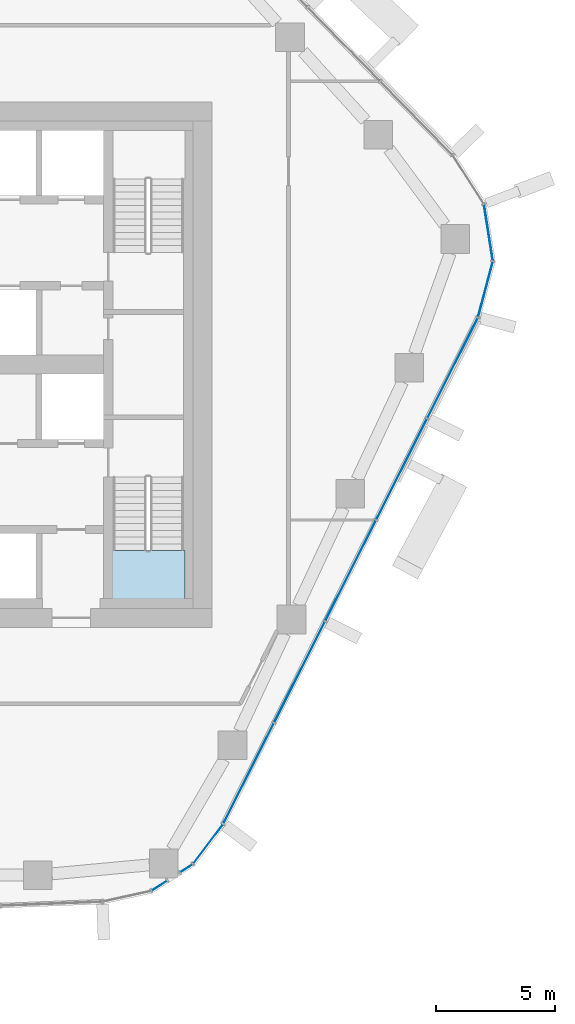
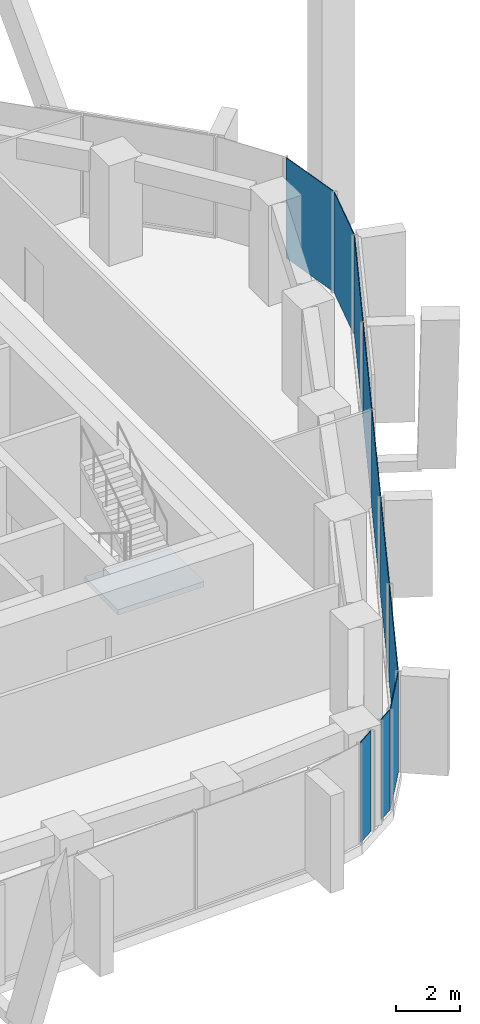
# One storey, part 10 of 19: 10 plates, 1 slab, 5 elements without a shape of their own.
"""IFC4 building model written with IfcOpenShell, lengths in metres."""

from ifc_helpers import new_model, si_unit, direction, frame, origin, origin_2d, place, context, subcontext, project, spatial, polyline, rectangle, outline, extrude, material, layer, layer_set, type_object, element, aggregate, save


model = new_model("IFC4")

# Units and contexts
model_context = context("Model", 3, precision=1e-05, world=origin(), true_north=direction((0.0, 1.0)))
body_context = subcontext(model_context, "Body", "Model", "MODEL_VIEW")
ifc_project = project(units=[si_unit("LENGTHUNIT", "METRE"), si_unit("AREAUNIT", "SQUARE_METRE"), si_unit("VOLUMEUNIT", "CUBIC_METRE"), si_unit("PLANEANGLEUNIT", "RADIAN"), si_unit("MASSUNIT", "GRAM", prefix="KILO")], contexts=[model_context])

# Site, building, storey
site_placement = place(None, origin())
site = spatial("IfcSite", under=ifc_project, at=site_placement, CompositionType="ELEMENT")
building_placement = place(site_placement, origin())
building = spatial("IfcBuilding", under=site, at=building_placement, Name="Dongbaek Canopy Tower", CompositionType="ELEMENT")
storey_placement = place(building_placement, frame((0.0, 0.0, 198.800048828125)))
storey = spatial("IfcBuildingStorey", under=building, at=storey_placement, Name="L41", CompositionType="ELEMENT", Elevation=198.800048828125)

# Curtain wall, plates
ifc_material_1 = material(Name="Aluminium 6063-T6 pale anodised", Category="aluminium")
ifc_layer_1 = layer(ifc_material_1, 0.199951171875)
ifc_layer_set_1 = layer_set([ifc_layer_1], Name="CW-1 unitised tower curtain wall")
curtain_wall_type = type_object("IfcCurtainWallType", Name="CW-1 unitised tower curtain wall", PredefinedType="NOTDEFINED", material=ifc_layer_set_1)
curtain_wall_1_placement = place(storey_placement, origin())
curtain_wall_1 = element("IfcCurtainWall", 1, at=curtain_wall_1_placement, inside=storey, type_object=curtain_wall_type, Name="CW-1 curtain wall K0.1", PredefinedType="NOTDEFINED")
ifc_material_2 = material(Name="Clear laminated glass", Category="glass")
ifc_layer_2 = layer(ifc_material_2, 0.028076171875)
ifc_layer_set_2 = layer_set([ifc_layer_2], Name="CW-1 glazed panel 28")
plate_type = type_object("IfcPlateType", Name="CW-1 glazed panel 28", PredefinedType="CURTAIN_PANEL", material=ifc_layer_set_2)
plate_1_placement = place(storey_placement, frame((25.443603515625, 3.149658203125, 0.0), z_axis=(0.0, 0.0, 1.0), x_axis=(0.256292735815, 0.966599210412, 0.0)))
plate_1 = element("IfcPlate", 2, at=plate_1_placement, type_object=plate_type, Name="CW-1 panel K0.1.1.1", PredefinedType="CURTAIN_PANEL", context=body_context, shape_type="SweptSolid", body=[
    extrude(rectangle(XDim=2.35107421875, YDim=0.028076171875, at=origin_2d()), origin(), (0.0, 0.0, 1.0), 3.820068359375),
])
plate_2_placement = place(storey_placement, frame((25.56884765625, 5.5244140625, 0.0), z_axis=(0.0, 0.0, 1.0), x_axis=(-0.154235837311, 0.988034061401, 0.0)))
plate_2 = element("IfcPlate", 3, at=plate_2_placement, type_object=plate_type, Name="CW-1 panel K0.1.2.1", PredefinedType="CURTAIN_PANEL", context=body_context, shape_type="SweptSolid", body=[
    extrude(rectangle(XDim=2.340576171875, YDim=0.028076171875, at=origin_2d()), origin(), (0.0, 0.0, 1.0), 3.820068359375),
])
aggregate(curtain_wall_1, [plate_1, plate_2])

# Curtain wall, plate
curtain_wall_2_placement = place(storey_placement, origin())
curtain_wall_2 = element("IfcCurtainWall", 4, at=curtain_wall_2_placement, inside=storey, type_object=curtain_wall_type, Name="CW-1 curtain wall K5.1a", PredefinedType="NOTDEFINED")
plate_3_placement = place(storey_placement, frame((11.794189453125, -21.813232421875, 0.0), z_axis=(0.0, 0.0, 1.0), x_axis=(0.840853052561, 0.541263470039, 0.0)))
plate_3 = element("IfcPlate", 5, at=plate_3_placement, type_object=plate_type, Name="CW-1 panel K5.1a.2.1", PredefinedType="CURTAIN_PANEL", context=body_context, shape_type="SweptSolid", body=[
    extrude(rectangle(XDim=0.72509765625, YDim=0.028076171875, at=origin_2d()), origin(), (0.0, 0.0, 1.0), 3.820068359375),
])
aggregate(curtain_wall_2, [plate_3])

# Curtain wall, plates
curtain_wall_3_placement = place(storey_placement, origin())
curtain_wall_3 = element("IfcCurtainWall", 6, at=curtain_wall_3_placement, inside=storey, type_object=curtain_wall_type, Name="CW-1 curtain wall K5.1b", PredefinedType="NOTDEFINED")
plate_4_placement = place(storey_placement, frame((12.92431640625, -21.0859375, 0.0), z_axis=(0.0, 0.0, 1.0), x_axis=(0.840853052561, 0.541263470039, 0.0)))
plate_4 = element("IfcPlate", 7, at=plate_4_placement, type_object=plate_type, Name="CW-1 panel K5.1b.1.1", PredefinedType="CURTAIN_PANEL", context=body_context, shape_type="SweptSolid", body=[
    extrude(rectangle(XDim=0.58642578125, YDim=0.028076171875, at=origin_2d()), origin(), (0.0, 0.0, 1.0), 3.820068359375),
])
plate_5_placement = place(storey_placement, frame((13.833984375, -20.067626953125, 0.0), z_axis=(0.0, 0.0, 1.0), x_axis=(0.60020334568, 0.799847450352, 0.0)))
plate_5 = element("IfcPlate", 8, at=plate_5_placement, type_object=plate_type, Name="CW-1 panel K5.1b.2.1", PredefinedType="CURTAIN_PANEL", context=body_context, shape_type="SweptSolid", body=[
    extrude(rectangle(XDim=2.008544921875, YDim=0.028076171875, at=origin_2d()), origin(), (0.0, 0.0, 1.0), 3.820068359375),
])
aggregate(curtain_wall_3, [plate_4, plate_5])

curtain_wall_4_placement = place(storey_placement, origin())
curtain_wall_4 = element("IfcCurtainWall", 9, at=curtain_wall_4_placement, inside=storey, type_object=curtain_wall_type, Name="CW-1 curtain wall F5.1", PredefinedType="NOTDEFINED")
plate_6_placement = place(storey_placement, frame((15.52783203125, -17.112548828125, 0.1201171875), z_axis=(0.0, 0.0, 1.0), x_axis=(0.449498908716, 0.893280880274, 0.0)))
plate_6 = element("IfcPlate", 10, at=plate_6_placement, type_object=plate_type, Name="CW-1 panel F5.1.1.1", PredefinedType="CURTAIN_PANEL", context=body_context, shape_type="SweptSolid", body=[
    extrude(rectangle(XDim=4.658203125, YDim=0.028076171875, at=origin_2d()), origin(), (0.0, 0.0, 1.0), 3.699951171875),
])
plate_7_placement = place(storey_placement, frame((17.661376953125, -12.872314453125, 0.1201171875), z_axis=(0.0, 0.0, 1.0), x_axis=(0.449498908716, 0.893280880274, 0.0)))
plate_7 = element("IfcPlate", 11, at=plate_7_placement, type_object=plate_type, Name="CW-1 panel F5.1.2.1", PredefinedType="CURTAIN_PANEL", context=body_context, shape_type="SweptSolid", body=[
    extrude(rectangle(XDim=4.667236328125, YDim=0.028076171875, at=origin_2d()), origin(), (0.0, 0.0, 1.0), 3.699951171875),
])
plate_8_placement = place(storey_placement, frame((19.797119140625, -8.628173828125, 0.1201171875), z_axis=(0.0, 0.0, 1.0), x_axis=(0.449498908716, 0.893280880274, 0.0)))
plate_8 = element("IfcPlate", 12, at=plate_8_placement, type_object=plate_type, Name="CW-1 panel F5.1.3.1", PredefinedType="CURTAIN_PANEL", context=body_context, shape_type="SweptSolid", body=[
    extrude(rectangle(XDim=4.667236328125, YDim=0.028076171875, at=origin_2d()), origin(), (0.0, 0.0, 1.0), 3.699951171875),
])
plate_9_placement = place(storey_placement, frame((21.932861328125, -4.384033203125, 0.1201171875), z_axis=(0.0, 0.0, 1.0), x_axis=(0.449498908716, 0.893280880274, 0.0)))
plate_9 = element("IfcPlate", 13, at=plate_9_placement, type_object=plate_type, Name="CW-1 panel F5.1.4.1", PredefinedType="CURTAIN_PANEL", context=body_context, shape_type="SweptSolid", body=[
    extrude(rectangle(XDim=4.667236328125, YDim=0.028076171875, at=origin_2d()), origin(), (0.0, 0.0, 1.0), 3.699951171875),
])
plate_10_placement = place(storey_placement, frame((24.066162109375, -0.14453125, 0.1201171875), z_axis=(0.0, 0.0, 1.0), x_axis=(0.449498908716, 0.893280880274, 0.0)))
plate_10 = element("IfcPlate", 14, at=plate_10_placement, type_object=plate_type, Name="CW-1 panel F5.1.5.1", PredefinedType="CURTAIN_PANEL", context=body_context, shape_type="SweptSolid", body=[
    extrude(rectangle(XDim=4.65673828125, YDim=0.028076171875, at=origin_2d()), origin(), (0.0, 0.0, 1.0), 3.699951171875),
])
aggregate(curtain_wall_4, [plate_6, plate_7, plate_8, plate_9, plate_10])

# Stair, slab
ifc_material_3 = material(Name="Concrete C40/50", Category="concrete")
stair_type = type_object("IfcStairType", Name="Core exit stair", PredefinedType="HALF_TURN_STAIR", material=ifc_material_3)
stair_placement = place(storey_placement, origin())
stair = element("IfcStair", 15, at=stair_placement, inside=storey, type_object=stair_type, Name="L41 exit stair B", PredefinedType="HALF_TURN_STAIR")
ifc_material_4 = material(Name="Concrete C40/50", Category="concrete")
ifc_layer_3 = layer(ifc_material_4, 0.199951171875)
ifc_layer_set_3 = layer_set([ifc_layer_3], Name="Core stair landing 200")
slab_type = type_object("IfcSlabType", Name="Core stair landing 200", PredefinedType="LANDING", material=ifc_layer_set_3)
slab_placement = place(storey_placement, frame((0.0, 0.0, 1.89990234375)))
slab = element("IfcSlab", 16, at=slab_placement, type_object=slab_type, Name="ST-B landing 1", PredefinedType="LANDING", context=body_context, shape_type="SweptSolid", body=[
    extrude(outline(polyline([(9.77490234375, -7.780029296875), (9.77490234375, -9.875), (12.875, -9.875), (12.875, -7.780029296875), (9.77490234375, -7.780029296875)])), origin(), (0.0, 0.0, 1.0), 0.199951171875),
])
aggregate(stair, [slab])

save(model, "model.ifc")
